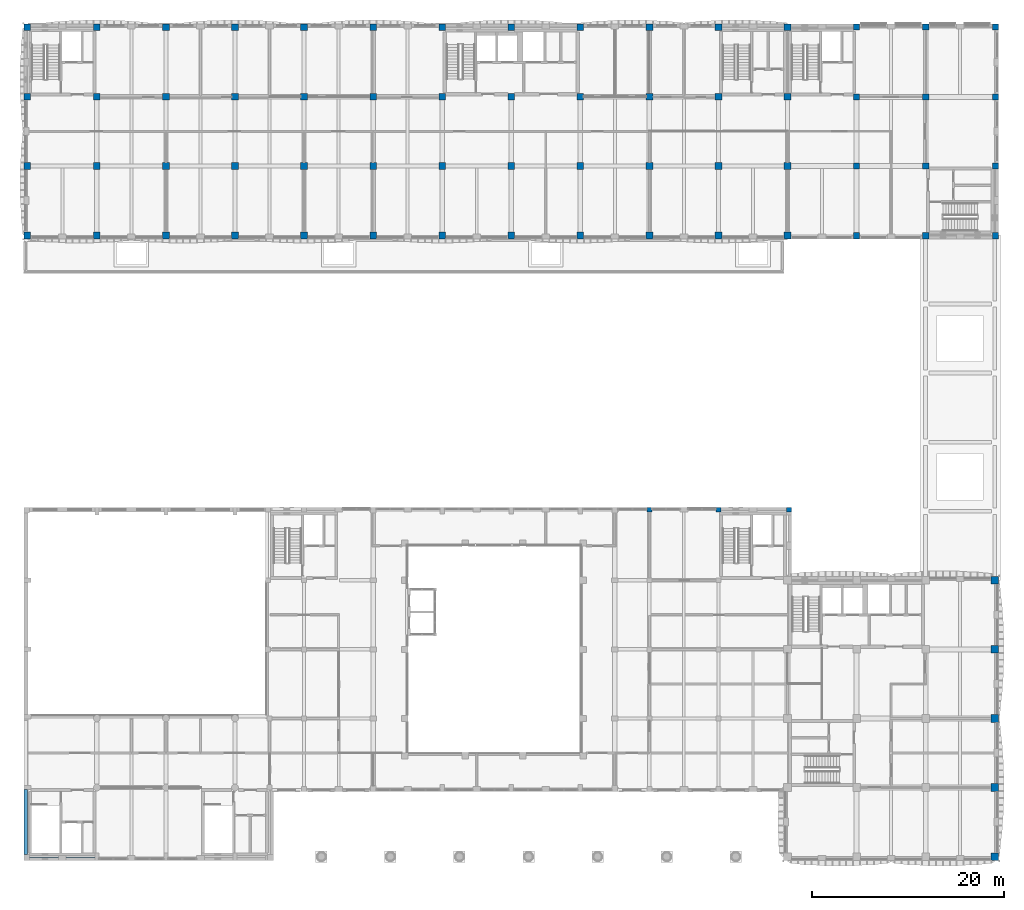
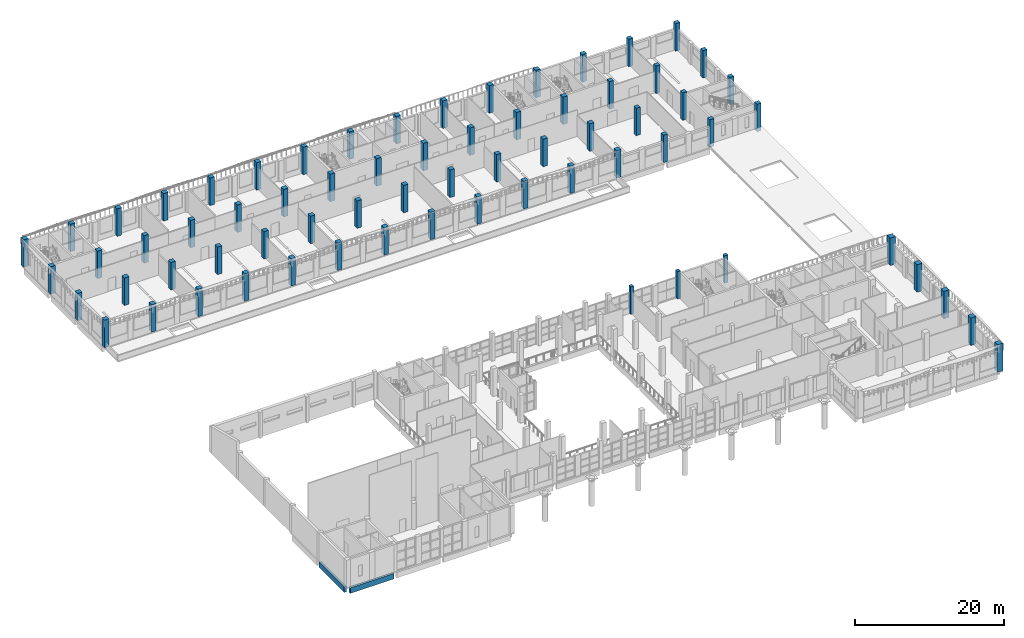
# One storey, part 2 of 59: 68 columns, 2 beams.
"""IFC4 building model written with IfcOpenShell, lengths in metres."""

import ifcopenshell
import ifcopenshell.guid

model = None  # the IFC model being written
_history = None  # IfcOwnerHistory: only IFC2X3 demands one
_inside = {}  # id of a spatial element -> (the spatial element, [elements in it])
_under = {}  # id of a project, library or spatial element -> (it, [spatial elements below it])
_declared = {}  # id of a project -> (the project, [libraries it declares])
_typed = {}  # id of a type object -> (the type object, [elements of that type])
_made_of = {}  # id of a material, layer set ... -> (it, [elements and type objects made of it])


def new_model(schema):
    """Start an empty IFC model of exactly this schema.

    Asked for "IFC4X3", IfcOpenShell would pick the latest addendum, in which some entities
    have other attributes; the version numbers below select the first issue.
    IFC2X3 requires an IfcOwnerHistory on every rooted entity: one is made here for all.
    """
    global model, _history
    if schema == "IFC4X3":
        model = ifcopenshell.file(schema_version=(4, 3, 0, 0))
    else:
        model = ifcopenshell.file(schema=schema)
    _inside.clear()
    _under.clear()
    _declared.clear()
    _typed.clear()
    _made_of.clear()
    _history = None
    if model.schema == "IFC2X3":
        org = make("IfcOrganization", Name="unknown")
        user = make(
            "IfcPersonAndOrganization",
            ThePerson=make("IfcPerson", FamilyName="unknown"),
            TheOrganization=org,
        )
        app = make(
            "IfcApplication",
            ApplicationDeveloper=org,
            Version="unknown",
            ApplicationFullName="unknown",
            ApplicationIdentifier="unknown",
        )
        _history = make(
            "IfcOwnerHistory",
            OwningUser=user,
            OwningApplication=app,
            ChangeAction="ADDED",
            CreationDate=0,
        )
    return model


def make(cls, **values):
    """One entity of the class cls with the attributes given. An attribute that is None is left unset."""
    return model.create_entity(
        cls, **{name: value for name, value in values.items() if value is not None}
    )


def rooted(cls, **values):
    """An entity with a GlobalId (a new one), such as an element, a storey or a relation."""
    return make(cls, GlobalId=ifcopenshell.guid.new(), OwnerHistory=_history, **values)


def si_unit(unit_type, name, prefix=None):
    """IfcSIUnit, for example si_unit("LENGTHUNIT", "METRE", prefix="MILLI")."""
    return make("IfcSIUnit", UnitType=unit_type, Prefix=prefix, Name=name)


def assignment(units):
    """IfcUnitAssignment: the units of a project."""
    return None if units is None else make("IfcUnitAssignment", Units=units)


def point(xyz):
    """IfcCartesianPoint."""
    return None if xyz is None else make("IfcCartesianPoint", Coordinates=xyz)


def direction(xyz):
    """IfcDirection."""
    return None if xyz is None else make("IfcDirection", DirectionRatios=xyz)


def frame(location, z_axis=None, x_axis=None):
    """IfcAxis2Placement3D, a coordinate frame: its origin and axes. An axis left out is left unset."""
    return make(
        "IfcAxis2Placement3D",
        Location=point(location),
        Axis=direction(z_axis),
        RefDirection=direction(x_axis),
    )


def frame_2d(location, x_axis=None):
    """IfcAxis2Placement2D, a coordinate frame in the plane: its origin and x axis."""
    return make(
        "IfcAxis2Placement2D", Location=point(location), RefDirection=direction(x_axis)
    )


def origin():
    """The frame at (0, 0, 0) with its axes left unset."""
    return frame((0.0, 0.0, 0.0))


def origin_2d():
    """The frame at (0, 0) in the plane with its x axis left unset."""
    return frame_2d((0.0, 0.0))


def place(relative_to, where):
    """IfcLocalPlacement: puts the frame where relative to a parent placement (None: the world)."""
    return make(
        "IfcLocalPlacement", PlacementRelTo=relative_to, RelativePlacement=where
    )


def context(
    kind, dimensions, precision=None, world=None, true_north=None, identifier=None
):
    """IfcGeometricRepresentationContext, for example the 3D "Model" context."""
    return make(
        "IfcGeometricRepresentationContext",
        ContextIdentifier=identifier,
        ContextType=kind,
        CoordinateSpaceDimension=dimensions,
        Precision=precision,
        WorldCoordinateSystem=world,
        TrueNorth=true_north,
    )


def subcontext(parent, identifier, kind, view, scale=None):
    """IfcGeometricRepresentationSubContext, for example "Body" below "Model"."""
    return make(
        "IfcGeometricRepresentationSubContext",
        ContextIdentifier=identifier,
        ContextType=kind,
        ParentContext=parent,
        TargetScale=scale,
        TargetView=view,
    )


def project(units=None, contexts=None):
    """IfcProject with its units and contexts."""
    return rooted(
        "IfcProject",
        Name="project",
        RepresentationContexts=contexts,
        UnitsInContext=assignment(units),
    )


def spatial(cls, under=None, at=None, **own):
    """A site, building, storey or space (cls), placed at a placement, below another one or the project."""
    s = rooted(cls, ObjectPlacement=at, **own)
    if under is not None:
        _under.setdefault(under.id(), (under, []))[1].append(s)
    return s


def profile(cls, at=None, kind="AREA", **sizes):
    """A parametric profile (cls). Its sizes go by their IFC names, for example OverallWidth=200.0."""
    return make(cls, ProfileType=kind, Position=at, **sizes)


def rectangle(**sizes):
    """IfcRectangleProfileDef."""
    return profile("IfcRectangleProfileDef", **sizes)


def extrude(swept, where, along, depth):
    """IfcExtrudedAreaSolid: the profile swept, set in the frame where, extruded along a direction by depth."""
    return make(
        "IfcExtrudedAreaSolid",
        SweptArea=swept,
        Position=where,
        ExtrudedDirection=direction(along),
        Depth=depth,
    )


def shape(context_of_items, identifier, shape_type, items):
    """IfcShapeRepresentation: the items that make up one representation, for example the "Body"."""
    return make(
        "IfcShapeRepresentation",
        ContextOfItems=context_of_items,
        RepresentationIdentifier=identifier,
        RepresentationType=shape_type,
        Items=items,
    )


def material(Name=None, Category=None):
    """IfcMaterial."""
    return make("IfcMaterial", Name=Name, Category=Category)


def material_profile(
    of_material, cross_section, Name=None, Category=None, Priority=None
):
    """IfcMaterialProfile: a cross section and its material."""
    return make(
        "IfcMaterialProfile",
        Name=Name,
        Material=of_material,
        Profile=cross_section,
        Priority=Priority,
        Category=Category,
    )


def profile_set(profiles, Name=None, composite=None):
    """IfcMaterialProfileSet."""
    return make(
        "IfcMaterialProfileSet",
        Name=Name,
        MaterialProfiles=profiles,
        CompositeProfile=composite,
    )


def made_of(thing, what):
    """Note that an element or type object is made of a material, layer set ...; save() writes the relation."""
    if what is not None:
        _made_of.setdefault(what.id(), (what, []))[1].append(thing)
    return thing


def type_object(cls, material=None, **own):
    """A type object (cls), such as IfcWallType, which elements share."""
    return made_of(rooted(cls, **own), material)


def element(
    cls,
    number,
    at=None,
    inside=None,
    cuts=None,
    type_object=None,
    material=None,
    context=None,
    identifier="Body",
    shape_type=None,
    held_by="IfcProductDefinitionShape",
    body=None,
    shapes=None,
    **own,
):
    """One element of the class cls, such as IfcWall. Its Tag is "e" and its number.

    at: its placement. inside: the storey or other place that contains it. cuts: it is an
    opening in that element (IfcRelVoidsElement). A single representation is given by context,
    identifier, shape_type and body (its items); several are given by shapes. held_by: the class
    of the entity that holds the representations. save() writes the other relations.
    """
    e = rooted(cls, Tag="e%d" % number, ObjectPlacement=at, **own)
    if body is not None:
        shapes = [shape(context, identifier, shape_type, body)]
    if shapes is not None:
        e.Representation = make(held_by, Representations=shapes)
    if inside is not None:
        _inside.setdefault(inside.id(), (inside, []))[1].append(e)
    if cuts is not None:
        rooted(
            "IfcRelVoidsElement", RelatingBuildingElement=cuts, RelatedOpeningElement=e
        )
    if type_object is not None:
        _typed.setdefault(type_object.id(), (type_object, []))[1].append(e)
    return made_of(e, material)


def aggregate(whole, parts):
    """IfcRelAggregates: a whole, such as a stair, and the parts it consists of."""
    return rooted("IfcRelAggregates", RelatingObject=whole, RelatedObjects=parts)


def save(model, path):
    """Write the relations noted so far, then the file.

    IfcRelAggregates (storeys below a building ...), IfcRelContainedInSpatialStructure (elements
    in a storey), IfcRelDefinesByType, IfcRelAssociatesMaterial and IfcRelDeclares: one each for
    every whole, place, type object, material and project.
    """
    for whole, parts in _under.values():
        aggregate(whole, parts)
    for where, things in _inside.values():
        rooted(
            "IfcRelContainedInSpatialStructure",
            RelatedElements=things,
            RelatingStructure=where,
        )
    for kind, things in _typed.values():
        rooted("IfcRelDefinesByType", RelatedObjects=things, RelatingType=kind)
    for what, things in _made_of.values():
        rooted("IfcRelAssociatesMaterial", RelatedObjects=things, RelatingMaterial=what)
    for by, libraries in _declared.values():
        rooted("IfcRelDeclares", RelatingContext=by, RelatedDefinitions=libraries)
    model.write(path)


model = new_model("IFC4")

# Units and contexts
model_context = context("Model", 3, precision=1e-05, world=origin(), true_north=direction((0.0, 1.0)))
body_context = subcontext(model_context, "Body", "Model", "MODEL_VIEW")
ifc_project = project(units=[si_unit("LENGTHUNIT", "METRE"), si_unit("AREAUNIT", "SQUARE_METRE"), si_unit("VOLUMEUNIT", "CUBIC_METRE"), si_unit("PLANEANGLEUNIT", "RADIAN"), si_unit("MASSUNIT", "GRAM", prefix="KILO")], contexts=[model_context])

# Site, building, storey
site_placement = place(None, origin())
site = spatial("IfcSite", under=ifc_project, at=site_placement, CompositionType="ELEMENT")
building_placement = place(site_placement, origin())
building = spatial("IfcBuilding", under=site, at=building_placement, Name="Ussher Court Research Institute", CompositionType="ELEMENT")
storey_placement = place(building_placement, frame((0.0, 0.0, 5.39990234375)))
storey = spatial("IfcBuildingStorey", under=building, at=storey_placement, Name="L01", CompositionType="ELEMENT", Elevation=5.39990234375)

# Columns
ifc_material_1 = material(Name="Concrete C35/45", Category="concrete")
ifc_material_profile_1 = material_profile(ifc_material_1, rectangle(XDim=0.5, YDim=0.5, at=origin_2d()), Name="RC 500x500")
ifc_profile_set_1 = profile_set([ifc_material_profile_1], Name="Concrete C35/45")
column_type_1 = type_object("IfcColumnType", Name="RC 500x500 column", PredefinedType="COLUMN", material=ifc_profile_set_1)
for number, where, z_axis, x_axis, name in (
    (1, (67.800048828125, 40.14990234375, 0.0), (0.0, 0.0, 1.0), (1.0, 0.0, 0.0), "C5 V7 L01-15"),
    (2, (75.0, 40.14990234375, 0.0), (0.0, 0.0, 1.0), (1.0, 0.0, 0.0), "C5 V7 L01-20"),
    (3, (82.35009765625, 40.14990234375, 0.0), (0.0, 0.0, 1.0), (1.0, 0.0, 0.0), "C5 V7 L01-21"),
):
    element("IfcColumn", number, at=place(storey_placement, frame(where, z_axis=z_axis, x_axis=x_axis)), inside=storey, type_object=column_type_1, Name=name, PredefinedType="COLUMN", context=body_context, shape_type="SweptSolid", body=[
        extrude(rectangle(XDim=0.5, YDim=0.5, at=origin_2d()), origin(), (0.0, 0.0, 1.0), 4.5),
    ])
ifc_material_2 = material(Name="Concrete C35/45", Category="concrete")
ifc_material_profile_2 = material_profile(ifc_material_2, rectangle(XDim=0.64990234375, YDim=0.64990234375, at=origin_2d()), Name="RC 650x650")
ifc_profile_set_2 = profile_set([ifc_material_profile_2], Name="Concrete C35/45")
column_type_2 = type_object("IfcColumnType", Name="RC 650x650 column", PredefinedType="COLUMN", material=ifc_profile_set_2)
for number, where, z_axis, x_axis, name in (
    (4, (89.39990234375, 68.72509765625, 0.0), (0.0, 0.0, 1.0), (1.0, 0.0, 0.0), "C65 V3 L01-01"),
    (5, (89.39990234375, 76.0, 0.0), (0.0, 0.0, 1.0), (1.0, 0.0, 0.0), "C65 V3 L01-02"),
    (6, (89.39990234375, 83.199951171875, 0.0), (0.0, 0.0, 1.0), (1.0, 0.0, 0.0), "C65 V3 L01-03"),
    (7, (89.39990234375, 90.47509765625, 0.0), (0.0, 0.0, 1.0), (1.0, 0.0, 0.0), "C65 V3 L01-04"),
    (8, (96.60009765625, 68.72509765625, 0.0), (0.0, 0.0, 1.0), (1.0, 0.0, 0.0), "C65 V3 L01-05"),
    (9, (96.60009765625, 76.0, 0.0), (0.0, 0.0, 1.0), (1.0, 0.0, 0.0), "C65 V3 L01-06"),
    (10, (96.60009765625, 83.199951171875, 0.0), (0.0, 0.0, 1.0), (1.0, 0.0, 0.0), "C65 V3 L01-07"),
    (11, (96.60009765625, 90.47509765625, 0.0), (0.0, 0.0, 1.0), (1.0, 0.0, 0.0), "C65 V3 L01-08"),
    (12, (103.875, 68.72509765625, 0.0), (0.0, 0.0, 1.0), (1.0, 0.0, 0.0), "C65 V3 L01-09"),
    (13, (103.875, 76.0, 0.0), (0.0, 0.0, 1.0), (1.0, 0.0, 0.0), "C65 V3 L01-10"),
    (14, (103.875, 83.199951171875, 0.0), (0.0, 0.0, 1.0), (1.0, 0.0, 0.0), "C65 V3 L01-11"),
    (15, (103.875, 90.47509765625, 0.0), (0.0, 0.0, 1.0), (1.0, 0.0, 0.0), "C65 V3 L01-12"),
):
    element("IfcColumn", number, at=place(storey_placement, frame(where, z_axis=z_axis, x_axis=x_axis)), inside=storey, type_object=column_type_2, Name=name, PredefinedType="COLUMN", context=body_context, shape_type="SweptSolid", body=[
        extrude(rectangle(XDim=0.64990234375, YDim=0.64990234375, at=origin_2d()), origin(), (0.0, 0.0, 1.0), 4.5),
    ])
ifc_material_3 = material(Name="Concrete C35/45", Category="concrete")
ifc_material_profile_3 = material_profile(ifc_material_3, rectangle(XDim=0.699951171875, YDim=0.699951171875, at=origin_2d()), Name="RC 700x700")
ifc_profile_set_3 = profile_set([ifc_material_profile_3], Name="Concrete C35/45")
column_type_3 = type_object("IfcColumnType", Name="RC 700x700 column", PredefinedType="COLUMN", material=ifc_profile_set_3)
for number, where, z_axis, x_axis, name in (
    (16, (2.949951171875, 68.75, 0.0), (0.0, 0.0, 1.0), (1.0, 0.0, 0.0), "C7 V5 L01-01"),
    (17, (2.949951171875, 76.0, 0.0), (0.0, 0.0, 1.0), (1.0, 0.0, 0.0), "C7 V5 L01-02"),
    (18, (2.949951171875, 83.199951171875, 0.0), (0.0, 0.0, 1.0), (1.0, 0.0, 0.0), "C7 V5 L01-03"),
    (19, (2.949951171875, 90.449951171875, 0.0), (0.0, 0.0, 1.0), (1.0, 0.0, 0.0), "C7 V5 L01-04"),
    (20, (10.199951171875, 68.75, 0.0), (0.0, 0.0, 1.0), (1.0, 0.0, 0.0), "C7 V5 L01-05"),
    (21, (10.199951171875, 76.0, 0.0), (0.0, 0.0, 1.0), (1.0, 0.0, 0.0), "C7 V5 L01-06"),
    (22, (10.199951171875, 83.199951171875, 0.0), (0.0, 0.0, 1.0), (1.0, 0.0, 0.0), "C7 V5 L01-07"),
    (23, (10.199951171875, 90.449951171875, 0.0), (0.0, 0.0, 1.0), (1.0, 0.0, 0.0), "C7 V5 L01-08"),
    (24, (17.39990234375, 68.75, 0.0), (0.0, 0.0, 1.0), (1.0, 0.0, 0.0), "C7 V5 L01-09"),
    (25, (17.39990234375, 76.0, 0.0), (0.0, 0.0, 1.0), (1.0, 0.0, 0.0), "C7 V5 L01-10"),
    (26, (17.39990234375, 83.199951171875, 0.0), (0.0, 0.0, 1.0), (1.0, 0.0, 0.0), "C7 V5 L01-11"),
    (27, (17.39990234375, 90.449951171875, 0.0), (0.0, 0.0, 1.0), (1.0, 0.0, 0.0), "C7 V5 L01-12"),
    (28, (24.60009765625, 68.75, 0.0), (0.0, 0.0, 1.0), (1.0, 0.0, 0.0), "C7 V5 L01-13"),
    (29, (24.60009765625, 76.0, 0.0), (0.0, 0.0, 1.0), (1.0, 0.0, 0.0), "C7 V5 L01-14"),
    (30, (24.60009765625, 83.199951171875, 0.0), (0.0, 0.0, 1.0), (1.0, 0.0, 0.0), "C7 V5 L01-15"),
    (31, (24.60009765625, 90.449951171875, 0.0), (0.0, 0.0, 1.0), (1.0, 0.0, 0.0), "C7 V5 L01-16"),
    (32, (31.800048828125, 68.75, 0.0), (0.0, 0.0, 1.0), (1.0, 0.0, 0.0), "C7 V5 L01-17"),
    (33, (31.800048828125, 76.0, 0.0), (0.0, 0.0, 1.0), (1.0, 0.0, 0.0), "C7 V5 L01-18"),
    (34, (31.800048828125, 83.199951171875, 0.0), (0.0, 0.0, 1.0), (1.0, 0.0, 0.0), "C7 V5 L01-19"),
    (35, (31.800048828125, 90.449951171875, 0.0), (0.0, 0.0, 1.0), (1.0, 0.0, 0.0), "C7 V5 L01-20"),
    (36, (39.0, 68.75, 0.0), (0.0, 0.0, 1.0), (1.0, 0.0, 0.0), "C7 V5 L01-21"),
    (37, (39.0, 76.0, 0.0), (0.0, 0.0, 1.0), (1.0, 0.0, 0.0), "C7 V5 L01-22"),
    (38, (39.0, 83.199951171875, 0.0), (0.0, 0.0, 1.0), (1.0, 0.0, 0.0), "C7 V5 L01-23"),
    (39, (39.0, 90.449951171875, 0.0), (0.0, 0.0, 1.0), (1.0, 0.0, 0.0), "C7 V5 L01-24"),
    (40, (46.199951171875, 68.75, 0.0), (0.0, 0.0, 1.0), (1.0, 0.0, 0.0), "C7 V5 L01-25"),
    (41, (46.199951171875, 76.0, 0.0), (0.0, 0.0, 1.0), (1.0, 0.0, 0.0), "C7 V5 L01-26"),
    (42, (46.199951171875, 83.199951171875, 0.0), (0.0, 0.0, 1.0), (1.0, 0.0, 0.0), "C7 V5 L01-27"),
    (43, (46.199951171875, 90.449951171875, 0.0), (0.0, 0.0, 1.0), (1.0, 0.0, 0.0), "C7 V5 L01-28"),
    (44, (53.39990234375, 68.75, 0.0), (0.0, 0.0, 1.0), (1.0, 0.0, 0.0), "C7 V5 L01-29"),
    (45, (53.39990234375, 76.0, 0.0), (0.0, 0.0, 1.0), (1.0, 0.0, 0.0), "C7 V5 L01-30"),
    (46, (53.39990234375, 83.199951171875, 0.0), (0.0, 0.0, 1.0), (1.0, 0.0, 0.0), "C7 V5 L01-31"),
    (47, (53.39990234375, 90.449951171875, 0.0), (0.0, 0.0, 1.0), (1.0, 0.0, 0.0), "C7 V5 L01-32"),
    (48, (60.60009765625, 68.75, 0.0), (0.0, 0.0, 1.0), (1.0, 0.0, 0.0), "C7 V5 L01-33"),
    (49, (60.60009765625, 76.0, 0.0), (0.0, 0.0, 1.0), (1.0, 0.0, 0.0), "C7 V5 L01-34"),
    (50, (60.60009765625, 83.199951171875, 0.0), (0.0, 0.0, 1.0), (1.0, 0.0, 0.0), "C7 V5 L01-35"),
    (51, (60.60009765625, 90.449951171875, 0.0), (0.0, 0.0, 1.0), (1.0, 0.0, 0.0), "C7 V5 L01-36"),
    (52, (67.800048828125, 68.75, 0.0), (0.0, 0.0, 1.0), (1.0, 0.0, 0.0), "C7 V5 L01-37"),
    (53, (67.800048828125, 76.0, 0.0), (0.0, 0.0, 1.0), (1.0, 0.0, 0.0), "C7 V5 L01-38"),
    (54, (67.800048828125, 83.199951171875, 0.0), (0.0, 0.0, 1.0), (1.0, 0.0, 0.0), "C7 V5 L01-39"),
    (55, (67.800048828125, 90.449951171875, 0.0), (0.0, 0.0, 1.0), (1.0, 0.0, 0.0), "C7 V5 L01-40"),
    (56, (75.0, 68.75, 0.0), (0.0, 0.0, 1.0), (1.0, 0.0, 0.0), "C7 V5 L01-41"),
    (57, (75.0, 76.0, 0.0), (0.0, 0.0, 1.0), (1.0, 0.0, 0.0), "C7 V5 L01-42"),
    (58, (75.0, 83.199951171875, 0.0), (0.0, 0.0, 1.0), (1.0, 0.0, 0.0), "C7 V5 L01-43"),
    (59, (75.0, 90.449951171875, 0.0), (0.0, 0.0, 1.0), (1.0, 0.0, 0.0), "C7 V5 L01-44"),
    (60, (82.199951171875, 68.75, 0.0), (0.0, 0.0, 1.0), (1.0, 0.0, 0.0), "C7 V5 L01-45"),
    (61, (82.199951171875, 76.0, 0.0), (0.0, 0.0, 1.0), (1.0, 0.0, 0.0), "C7 V5 L01-46"),
    (62, (82.199951171875, 83.199951171875, 0.0), (0.0, 0.0, 1.0), (1.0, 0.0, 0.0), "C7 V5 L01-47"),
    (63, (82.199951171875, 90.449951171875, 0.0), (0.0, 0.0, 1.0), (1.0, 0.0, 0.0), "C7 V5 L01-48"),
):
    element("IfcColumn", number, at=place(storey_placement, frame(where, z_axis=z_axis, x_axis=x_axis)), inside=storey, type_object=column_type_3, Name=name, PredefinedType="COLUMN", context=body_context, shape_type="SweptSolid", body=[
        extrude(rectangle(XDim=0.699951171875, YDim=0.699951171875, at=origin_2d()), origin(), (0.0, 0.0, 1.0), 4.5),
    ])
ifc_material_4 = material(Name="Concrete C35/45", Category="concrete")
ifc_material_profile_4 = material_profile(ifc_material_4, rectangle(XDim=0.800048828125, YDim=0.800048828125, at=origin_2d()), Name="RC 800x800")
ifc_profile_set_4 = profile_set([ifc_material_profile_4], Name="Concrete C35/45")
column_type_4 = type_object("IfcColumnType", Name="RC 800x800 column", PredefinedType="COLUMN", material=ifc_profile_set_4)
for number, where, z_axis, x_axis, name in (
    (64, (103.800048828125, 4.0, 0.0), (0.0, 0.0, 1.0), (1.0, 0.0, 0.0), "C8 V4 L01-16"),
    (65, (103.800048828125, 11.199951171875, 0.0), (0.0, 0.0, 1.0), (1.0, 0.0, 0.0), "C8 V4 L01-17"),
    (66, (103.800048828125, 18.39990234375, 0.0), (0.0, 0.0, 1.0), (1.0, 0.0, 0.0), "C8 V4 L01-18"),
    (67, (103.800048828125, 25.60009765625, 0.0), (0.0, 0.0, 1.0), (1.0, 0.0, 0.0), "C8 V4 L01-19"),
    (68, (103.800048828125, 32.800048828125, 0.0), (0.0, 0.0, 1.0), (1.0, 0.0, 0.0), "C8 V4 L01-20"),
):
    element("IfcColumn", number, at=place(storey_placement, frame(where, z_axis=z_axis, x_axis=x_axis)), inside=storey, type_object=column_type_4, Name=name, PredefinedType="COLUMN", context=body_context, shape_type="SweptSolid", body=[
        extrude(rectangle(XDim=0.800048828125, YDim=0.800048828125, at=origin_2d()), origin(), (0.0, 0.0, 1.0), 4.5),
    ])

# Beams
ifc_material_5 = material(Name="Concrete C35/45", Category="concrete")
ifc_material_profile_5 = material_profile(ifc_material_5, rectangle(XDim=0.35009765625, YDim=0.89990234375, at=origin_2d()), Name="RC 350x900")
ifc_profile_set_5 = profile_set([ifc_material_profile_5], Name="Concrete C35/45")
beam_type = type_object("IfcBeamType", Name="RC 350x900 beam", PredefinedType="BEAM", material=ifc_profile_set_5)
beam_1_placement = place(storey_placement, frame((3.199951171875, 3.77490234375, -0.64990234375), z_axis=(1.0, 0.0, 0.0), x_axis=(0.0, 1.0, 0.0)))
element("IfcBeam", 69, at=beam_1_placement, inside=storey, type_object=beam_type, Name="SB1 V1 L01-01", PredefinedType="BEAM", context=body_context, shape_type="SweptSolid", body=[
    extrude(rectangle(XDim=0.35009765625, YDim=0.89990234375, at=origin_2d()), origin(), (0.0, 0.0, 1.0), 6.800048828125),
])
beam_2_placement = place(storey_placement, frame((2.77490234375, 4.199951171875, -0.64990234375), z_axis=(0.0, 1.0, 0.0), x_axis=(-1.0, 0.0, 0.0)))
element("IfcBeam", 70, at=beam_2_placement, inside=storey, type_object=beam_type, Name="SB1 V1 L01-09", PredefinedType="BEAM", context=body_context, shape_type="SweptSolid", body=[
    extrude(rectangle(XDim=0.35009765625, YDim=0.89990234375, at=origin_2d()), origin(), (0.0, 0.0, 1.0), 6.775146484375),
])

save(model, "model.ifc")
